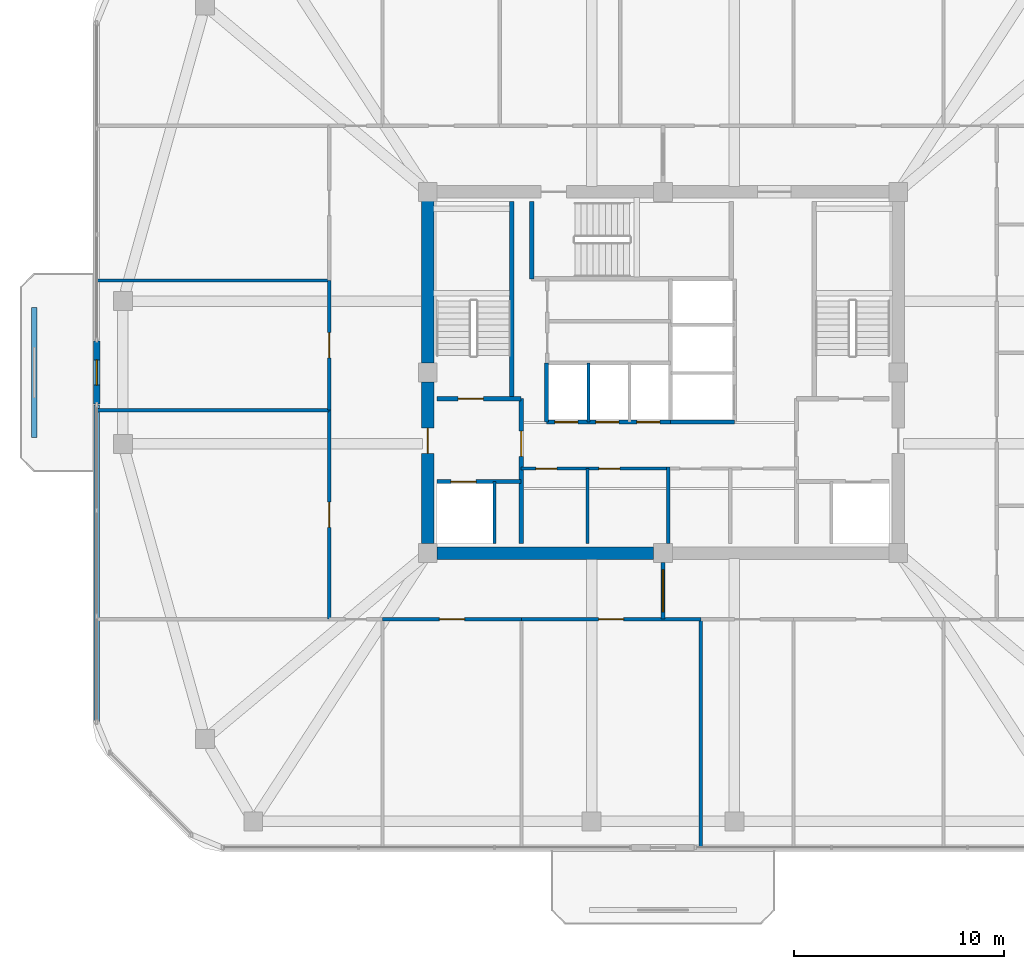
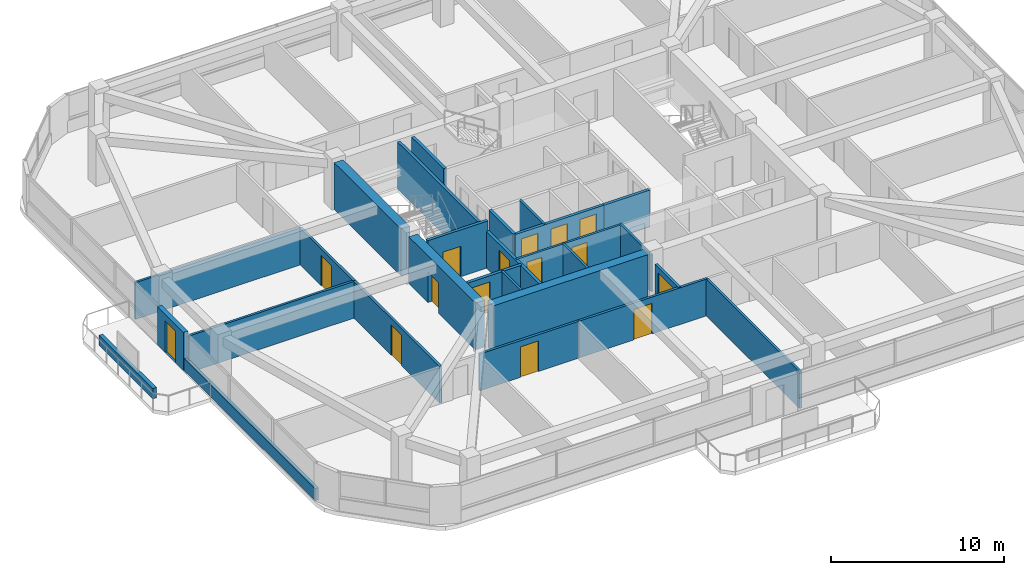
# One storey, part 8 of 13: 27 walls, 15 doors, 15 openings.
"""IFC4 building model written with IfcOpenShell, lengths in metres."""

import ifcopenshell
import ifcopenshell.guid

model = None  # the IFC model being written
_history = None  # IfcOwnerHistory: only IFC2X3 demands one
_inside = {}  # id of a spatial element -> (the spatial element, [elements in it])
_under = {}  # id of a project, library or spatial element -> (it, [spatial elements below it])
_declared = {}  # id of a project -> (the project, [libraries it declares])
_typed = {}  # id of a type object -> (the type object, [elements of that type])
_made_of = {}  # id of a material, layer set ... -> (it, [elements and type objects made of it])


def new_model(schema):
    """Start an empty IFC model of exactly this schema.

    Asked for "IFC4X3", IfcOpenShell would pick the latest addendum, in which some entities
    have other attributes; the version numbers below select the first issue.
    IFC2X3 requires an IfcOwnerHistory on every rooted entity: one is made here for all.
    """
    global model, _history
    if schema == "IFC4X3":
        model = ifcopenshell.file(schema_version=(4, 3, 0, 0))
    else:
        model = ifcopenshell.file(schema=schema)
    _inside.clear()
    _under.clear()
    _declared.clear()
    _typed.clear()
    _made_of.clear()
    _history = None
    if model.schema == "IFC2X3":
        org = make("IfcOrganization", Name="unknown")
        user = make(
            "IfcPersonAndOrganization",
            ThePerson=make("IfcPerson", FamilyName="unknown"),
            TheOrganization=org,
        )
        app = make(
            "IfcApplication",
            ApplicationDeveloper=org,
            Version="unknown",
            ApplicationFullName="unknown",
            ApplicationIdentifier="unknown",
        )
        _history = make(
            "IfcOwnerHistory",
            OwningUser=user,
            OwningApplication=app,
            ChangeAction="ADDED",
            CreationDate=0,
        )
    return model


def make(cls, **values):
    """One entity of the class cls with the attributes given. An attribute that is None is left unset."""
    return model.create_entity(
        cls, **{name: value for name, value in values.items() if value is not None}
    )


def rooted(cls, **values):
    """An entity with a GlobalId (a new one), such as an element, a storey or a relation."""
    return make(cls, GlobalId=ifcopenshell.guid.new(), OwnerHistory=_history, **values)


def si_unit(unit_type, name, prefix=None):
    """IfcSIUnit, for example si_unit("LENGTHUNIT", "METRE", prefix="MILLI")."""
    return make("IfcSIUnit", UnitType=unit_type, Prefix=prefix, Name=name)


def derived_unit(unit_type, elements):
    """IfcDerivedUnit: a product of units, each with its exponent."""
    return make(
        "IfcDerivedUnit",
        Elements=[
            make("IfcDerivedUnitElement", Unit=unit, Exponent=power)
            for unit, power in elements
        ],
        UnitType=unit_type,
    )


def assignment(units):
    """IfcUnitAssignment: the units of a project."""
    return None if units is None else make("IfcUnitAssignment", Units=units)


def point(xyz):
    """IfcCartesianPoint."""
    return None if xyz is None else make("IfcCartesianPoint", Coordinates=xyz)


def direction(xyz):
    """IfcDirection."""
    return None if xyz is None else make("IfcDirection", DirectionRatios=xyz)


def frame(location, z_axis=None, x_axis=None):
    """IfcAxis2Placement3D, a coordinate frame: its origin and axes. An axis left out is left unset."""
    return make(
        "IfcAxis2Placement3D",
        Location=point(location),
        Axis=direction(z_axis),
        RefDirection=direction(x_axis),
    )


def frame_2d(location, x_axis=None):
    """IfcAxis2Placement2D, a coordinate frame in the plane: its origin and x axis."""
    return make(
        "IfcAxis2Placement2D", Location=point(location), RefDirection=direction(x_axis)
    )


def origin():
    """The frame at (0, 0, 0) with its axes left unset."""
    return frame((0.0, 0.0, 0.0))


def place(relative_to, where):
    """IfcLocalPlacement: puts the frame where relative to a parent placement (None: the world)."""
    return make(
        "IfcLocalPlacement", PlacementRelTo=relative_to, RelativePlacement=where
    )


def context(
    kind, dimensions, precision=None, world=None, true_north=None, identifier=None
):
    """IfcGeometricRepresentationContext, for example the 3D "Model" context."""
    return make(
        "IfcGeometricRepresentationContext",
        ContextIdentifier=identifier,
        ContextType=kind,
        CoordinateSpaceDimension=dimensions,
        Precision=precision,
        WorldCoordinateSystem=world,
        TrueNorth=true_north,
    )


def subcontext(parent, identifier, kind, view, scale=None):
    """IfcGeometricRepresentationSubContext, for example "Body" below "Model"."""
    return make(
        "IfcGeometricRepresentationSubContext",
        ContextIdentifier=identifier,
        ContextType=kind,
        ParentContext=parent,
        TargetScale=scale,
        TargetView=view,
    )


def project(units=None, contexts=None):
    """IfcProject with its units and contexts."""
    return rooted(
        "IfcProject",
        Name="project",
        RepresentationContexts=contexts,
        UnitsInContext=assignment(units),
    )


def spatial(cls, under=None, at=None, **own):
    """A site, building, storey or space (cls), placed at a placement, below another one or the project."""
    s = rooted(cls, ObjectPlacement=at, **own)
    if under is not None:
        _under.setdefault(under.id(), (under, []))[1].append(s)
    return s


def profile(cls, at=None, kind="AREA", **sizes):
    """A parametric profile (cls). Its sizes go by their IFC names, for example OverallWidth=200.0."""
    return make(cls, ProfileType=kind, Position=at, **sizes)


def rectangle(**sizes):
    """IfcRectangleProfileDef."""
    return profile("IfcRectangleProfileDef", **sizes)


def extrude(swept, where, along, depth):
    """IfcExtrudedAreaSolid: the profile swept, set in the frame where, extruded along a direction by depth."""
    return make(
        "IfcExtrudedAreaSolid",
        SweptArea=swept,
        Position=where,
        ExtrudedDirection=direction(along),
        Depth=depth,
    )


def shape(context_of_items, identifier, shape_type, items):
    """IfcShapeRepresentation: the items that make up one representation, for example the "Body"."""
    return make(
        "IfcShapeRepresentation",
        ContextOfItems=context_of_items,
        RepresentationIdentifier=identifier,
        RepresentationType=shape_type,
        Items=items,
    )


def material(Name=None, Category=None):
    """IfcMaterial."""
    return make("IfcMaterial", Name=Name, Category=Category)


def layer(
    of_material, thickness, ventilated=None, Name=None, Category=None, Priority=None
):
    """IfcMaterialLayer: one layer of a wall or slab, of a material (None: an air gap)."""
    return make(
        "IfcMaterialLayer",
        Material=of_material,
        LayerThickness=thickness,
        IsVentilated=ventilated,
        Name=Name,
        Category=Category,
        Priority=Priority,
    )


def layer_set(layers, Name=None):
    """IfcMaterialLayerSet."""
    return make("IfcMaterialLayerSet", MaterialLayers=layers, LayerSetName=Name)


def made_of(thing, what):
    """Note that an element or type object is made of a material, layer set ...; save() writes the relation."""
    if what is not None:
        _made_of.setdefault(what.id(), (what, []))[1].append(thing)
    return thing


def type_object(cls, material=None, **own):
    """A type object (cls), such as IfcWallType, which elements share."""
    return made_of(rooted(cls, **own), material)


def element(
    cls,
    number,
    at=None,
    inside=None,
    cuts=None,
    type_object=None,
    material=None,
    context=None,
    identifier="Body",
    shape_type=None,
    held_by="IfcProductDefinitionShape",
    body=None,
    shapes=None,
    **own,
):
    """One element of the class cls, such as IfcWall. Its Tag is "e" and its number.

    at: its placement. inside: the storey or other place that contains it. cuts: it is an
    opening in that element (IfcRelVoidsElement). A single representation is given by context,
    identifier, shape_type and body (its items); several are given by shapes. held_by: the class
    of the entity that holds the representations. save() writes the other relations.
    """
    e = rooted(cls, Tag="e%d" % number, ObjectPlacement=at, **own)
    if body is not None:
        shapes = [shape(context, identifier, shape_type, body)]
    if shapes is not None:
        e.Representation = make(held_by, Representations=shapes)
    if inside is not None:
        _inside.setdefault(inside.id(), (inside, []))[1].append(e)
    if cuts is not None:
        rooted(
            "IfcRelVoidsElement", RelatingBuildingElement=cuts, RelatedOpeningElement=e
        )
    if type_object is not None:
        _typed.setdefault(type_object.id(), (type_object, []))[1].append(e)
    return made_of(e, material)


def fill(opening, filler):
    """IfcRelFillsElement: the door or window that sits in an opening."""
    return rooted(
        "IfcRelFillsElement",
        RelatingOpeningElement=opening,
        RelatedBuildingElement=filler,
    )


def aggregate(whole, parts):
    """IfcRelAggregates: a whole, such as a stair, and the parts it consists of."""
    return rooted("IfcRelAggregates", RelatingObject=whole, RelatedObjects=parts)


def save(model, path):
    """Write the relations noted so far, then the file.

    IfcRelAggregates (storeys below a building ...), IfcRelContainedInSpatialStructure (elements
    in a storey), IfcRelDefinesByType, IfcRelAssociatesMaterial and IfcRelDeclares: one each for
    every whole, place, type object, material and project.
    """
    for whole, parts in _under.values():
        aggregate(whole, parts)
    for where, things in _inside.values():
        rooted(
            "IfcRelContainedInSpatialStructure",
            RelatedElements=things,
            RelatingStructure=where,
        )
    for kind, things in _typed.values():
        rooted("IfcRelDefinesByType", RelatedObjects=things, RelatingType=kind)
    for what, things in _made_of.values():
        rooted("IfcRelAssociatesMaterial", RelatedObjects=things, RelatingMaterial=what)
    for by, libraries in _declared.values():
        rooted("IfcRelDeclares", RelatingContext=by, RelatedDefinitions=libraries)
    model.write(path)


model = new_model("IFC4")

# Units and contexts
model_context = context("Model", 3, precision=1e-05, world=origin(), true_north=direction((0.0, 1.0)))
body_context = subcontext(model_context, "Body", "Model", "MODEL_VIEW")
ifc_project = project(units=[si_unit("LENGTHUNIT", "METRE"), si_unit("AREAUNIT", "SQUARE_METRE"), si_unit("VOLUMEUNIT", "CUBIC_METRE"), si_unit("PLANEANGLEUNIT", "RADIAN"), si_unit("MASSUNIT", "GRAM", prefix="KILO"), derived_unit("THERMALTRANSMITTANCEUNIT", [(si_unit("POWERUNIT", "WATT"), 1), (si_unit("LENGTHUNIT", "METRE"), -2), (si_unit("THERMODYNAMICTEMPERATUREUNIT", "KELVIN"), -1)])], contexts=[model_context])

# Site, building, storey
site_placement = place(None, origin())
site = spatial("IfcSite", under=ifc_project, at=site_placement, CompositionType="ELEMENT")
building_placement = place(site_placement, origin())
building = spatial("IfcBuilding", under=site, at=building_placement, Name="Koralith Skygarden Medical Center", CompositionType="ELEMENT")
storey_placement = place(building_placement, frame((0.0, 0.0, 228.780029296875)))
storey = spatial("IfcBuildingStorey", under=building, at=storey_placement, Name="L59", CompositionType="ELEMENT", Elevation=228.780029296875)

# Wall, openings, doors
ifc_material_1 = material(Name="Gypsum Board Partition")
ifc_layer_1 = layer(ifc_material_1, 0.14990234375)
ifc_layer_set_1 = layer_set([ifc_layer_1], Name="Gypsum Board Partition")
wall_type_1 = type_object("IfcWallType", Name="Clinical Acoustic Partition 150", PredefinedType="PARTITIONING", material=ifc_layer_set_1)
wall_1_placement = place(storey_placement, frame((30.25, 21.320068359375, 0.0), z_axis=(0.0, 0.0, 1.0), x_axis=(1.0, 0.0, 0.0)))
wall_1 = element("IfcWall", 1, at=wall_1_placement, inside=storey, type_object=wall_type_1, Name="L59 Clinical Acoustic Partition 150 W-CORE-L59-FREED-LR-N", PredefinedType="PARTITIONING", context=body_context, shape_type="SweptSolid", body=[
    extrude(rectangle(XDim=7.0, YDim=0.14990234375, at=frame_2d((3.5, 0.0))), origin(), (0.0, 0.0, 1.0), 2.590087890625),
])
opening_1_placement = place(wall_1_placement, frame((0.699951171875, 0.0, 0.0)))
opening_1 = element("IfcOpeningElement", 2, at=opening_1_placement, cuts=wall_1, Name="Opening D-SUP", PredefinedType="OPENING", context=body_context, shape_type="SweptSolid", body=[
    extrude(rectangle(XDim=1.0, YDim=2.14990234375, at=frame_2d((0.5, 1.074951171875))), frame((0.0, 0.0849609375, 0.0), z_axis=(0.0, -1.0, 0.0), x_axis=(1.0, 0.0, 0.0)), (0.0, 0.0, 1.0), 0.169921875),
])
opening_2_placement = place(wall_1_placement, frame((3.699951171875, 0.0, 0.0)))
opening_2 = element("IfcOpeningElement", 3, at=opening_2_placement, cuts=wall_1, Name="Opening D-SUP", PredefinedType="OPENING", context=body_context, shape_type="SweptSolid", body=[
    extrude(rectangle(XDim=1.0, YDim=2.14990234375, at=frame_2d((0.5, 1.074951171875))), frame((0.0, 0.0849609375, 0.0), z_axis=(0.0, -1.0, 0.0), x_axis=(1.0, 0.0, 0.0)), (0.0, 0.0, 1.0), 0.169921875),
])
ifc_material_2 = material(Name="Aluminium 6063-T6", Category="aluminium")
door_type_1 = type_object("IfcDoorType", Name="Clinical Support Door D-SUP 1000", OperationType="NOTDEFINED", PredefinedType="DOOR", material=ifc_material_2)
door_1_placement = place(opening_1_placement, frame((1.0, 0.0, 0.0), z_axis=(0.0, 0.0, 1.0), x_axis=(-1.0, 0.0, 0.0)))
door_1 = element("IfcDoor", 4, at=door_1_placement, inside=storey, type_object=door_type_1, Name="L59 Medication Preparation Door", OperationType="SINGLE_SWING_LEFT", OverallHeight=2.14990234375, OverallWidth=1.0, PredefinedType="DOOR", context=body_context, shape_type="SweptSolid", body=[
    extrude(rectangle(XDim=1.0, YDim=2.14990234375, at=frame_2d((0.5, 1.074951171875))), frame((0.0, 0.02490234375, 0.0), z_axis=(0.0, -1.0, 0.0), x_axis=(1.0, 0.0, 0.0)), (0.0, 0.0, 1.0), 0.050048828125),
])
fill(opening_1, door_1)
door_2_placement = place(opening_2_placement, frame((1.0, 0.0, 0.0), z_axis=(0.0, 0.0, 1.0), x_axis=(-1.0, 0.0, 0.0)))
door_2 = element("IfcDoor", 5, at=door_2_placement, inside=storey, type_object=door_type_1, Name="L59 Telemetry Room Door", OperationType="SINGLE_SWING_RIGHT", OverallHeight=2.14990234375, OverallWidth=1.0, PredefinedType="DOOR", context=body_context, shape_type="SweptSolid", body=[
    extrude(rectangle(XDim=1.0, YDim=2.14990234375, at=frame_2d((0.5, 1.074951171875))), frame((0.0, 0.02490234375, 0.0), z_axis=(0.0, -1.0, 0.0), x_axis=(1.0, 0.0, 0.0)), (0.0, 0.0, 1.0), 0.050048828125),
])
fill(opening_2, door_2)

# Walls
wall_2_placement = place(storey_placement, frame((33.39990234375, 17.75, 0.0), z_axis=(0.0, 0.0, 1.0), x_axis=(0.0, 1.0, 0.0)))
element("IfcWall", 6, at=wall_2_placement, inside=storey, type_object=wall_type_1, Name="L59 Clinical Acoustic Partition 150 W-CORE-L59-FREED-LR-M", PredefinedType="PARTITIONING", context=body_context, shape_type="SweptSolid", body=[
    extrude(rectangle(XDim=3.570068359375, YDim=0.14990234375, at=frame_2d((1.78515625, 0.0))), origin(), (0.0, 0.0, 1.0), 2.590087890625),
])
wall_3_placement = place(storey_placement, frame((38.800048828125, 14.14990234375, 0.0), z_axis=(0.0, 0.0, 1.0), x_axis=(0.0, -1.0, 0.0)))
element("IfcWall", 7, at=wall_3_placement, inside=storey, type_object=wall_type_1, Name="L59 Clinical Acoustic Partition 150 W-PART-L59-S-03", PredefinedType="PARTITIONING", context=body_context, shape_type="SweptSolid", body=[
    extrude(rectangle(XDim=10.849853515625, YDim=0.14990234375, at=frame_2d((5.4248046875, 0.0))), origin(), (0.0, 0.0, 1.0), 2.590087890625),
])
for number, where, z_axis, x_axis, name in (
    (8, (21.10009765625, 24.10009765625, 0.0), (0.0, 0.0, 1.0), (-1.0, 0.0, 0.0), "L59 Clinical Acoustic Partition 150 W-PART-L59-W-01"),
    (9, (21.10009765625, 30.280029296875, 0.0), (0.0, 0.0, 1.0), (-1.0, 0.0, 0.0), "L59 Clinical Acoustic Partition 150 W-PART-L59-W-02"),
):
    element("IfcWall", number, at=place(storey_placement, frame(where, z_axis=z_axis, x_axis=x_axis)), inside=storey, type_object=wall_type_1, Name=name, PredefinedType="PARTITIONING", context=body_context, shape_type="SweptSolid", body=[
        extrude(rectangle(XDim=11.0419921875, YDim=0.14990234375, at=frame_2d((5.52099609375, 0.0))), origin(), (0.0, 0.0, 1.0), 2.590087890625),
    ])

# Wall, opening, door
ifc_layer_2 = layer(ifc_material_1, 0.1650390625)
ifc_layer_set_2 = layer_set([ifc_layer_2], Name="Gypsum Board Partition")
wall_type_2 = type_object("IfcWallType", Name="Clinical Corridor Partition 165", PredefinedType="PARTITIONING", material=ifc_layer_set_2)
wall_4_placement = place(storey_placement, frame((23.64990234375, 14.14990234375, 0.0), z_axis=(0.0, 0.0, 1.0), x_axis=(1.0, 0.0, 0.0)))
wall_4 = element("IfcWall", 10, at=wall_4_placement, inside=storey, type_object=wall_type_2, Name="L59 Clinical Corridor Partition 165 W-CORR-L59-S-02", PredefinedType="PARTITIONING", context=body_context, shape_type="SweptSolid", body=[
    extrude(rectangle(XDim=6.610107421875, YDim=0.1650390625, at=frame_2d((3.30517578125, 0.0))), origin(), (0.0, 0.0, 1.0), 2.590087890625),
])
opening_3_placement = place(wall_4_placement, frame((2.705078125, 0.0, 0.0)))
opening_3 = element("IfcOpeningElement", 11, at=opening_3_placement, cuts=wall_4, Name="Opening D-CLN", PredefinedType="OPENING", context=body_context, shape_type="SweptSolid", body=[
    extrude(rectangle(XDim=1.199951171875, YDim=2.14990234375, at=frame_2d((0.60009765625, 1.074951171875))), frame((0.0, 0.092529296875, 0.0), z_axis=(0.0, -1.0, 0.0), x_axis=(1.0, 0.0, 0.0)), (0.0, 0.0, 1.0), 0.18505859375),
])
door_type_2 = type_object("IfcDoorType", Name="Clinical Corridor Door D-CLN 1200", OperationType="NOTDEFINED", PredefinedType="DOOR", material=ifc_material_2)
door_3_placement = place(opening_3_placement, frame((1.199951171875, 0.0, 0.0), z_axis=(0.0, 0.0, 1.0), x_axis=(-1.0, 0.0, 0.0)))
door_3 = element("IfcDoor", 12, at=door_3_placement, inside=storey, type_object=door_type_2, Name="L59 Clinical Consultation Office 08 Door", OperationType="SINGLE_SWING_LEFT", OverallHeight=2.14990234375, OverallWidth=1.199951171875, PredefinedType="DOOR", context=body_context, shape_type="SweptSolid", body=[
    extrude(rectangle(XDim=1.199951171875, YDim=2.14990234375, at=frame_2d((0.60009765625, 1.074951171875))), frame((0.0, 0.02490234375, 0.0), z_axis=(0.0, -1.0, 0.0), x_axis=(1.0, 0.0, 0.0)), (0.0, 0.0, 1.0), 0.050048828125),
])
fill(opening_3, door_3)

wall_5_placement = place(storey_placement, frame((30.260009765625, 14.14990234375, 0.0), z_axis=(0.0, 0.0, 1.0), x_axis=(1.0, 0.0, 0.0)))
wall_5 = element("IfcWall", 13, at=wall_5_placement, inside=storey, type_object=wall_type_2, Name="L59 Clinical Corridor Partition 165 W-CORR-L59-S-03", PredefinedType="PARTITIONING", context=body_context, shape_type="SweptSolid", body=[
    extrude(rectangle(XDim=8.5400390625, YDim=0.1650390625, at=frame_2d((4.27001953125, 0.0))), origin(), (0.0, 0.0, 1.0), 2.590087890625),
])
opening_4_placement = place(wall_5_placement, frame((3.669921875, 0.0, 0.0)))
opening_4 = element("IfcOpeningElement", 14, at=opening_4_placement, cuts=wall_5, Name="Opening D-CLN", PredefinedType="OPENING", context=body_context, shape_type="SweptSolid", body=[
    extrude(rectangle(XDim=1.199951171875, YDim=2.14990234375, at=frame_2d((0.60009765625, 1.074951171875))), frame((0.0, 0.092529296875, 0.0), z_axis=(0.0, -1.0, 0.0), x_axis=(1.0, 0.0, 0.0)), (0.0, 0.0, 1.0), 0.18505859375),
])
door_4_placement = place(opening_4_placement, frame((1.199951171875, 0.0, 0.0), z_axis=(0.0, 0.0, 1.0), x_axis=(-1.0, 0.0, 0.0)))
door_4 = element("IfcDoor", 15, at=door_4_placement, inside=storey, type_object=door_type_2, Name="L59 Patient and Family Sky-Garden Day Lounge 09 Door", OperationType="SINGLE_SWING_RIGHT", OverallHeight=2.14990234375, OverallWidth=1.199951171875, PredefinedType="DOOR", context=body_context, shape_type="SweptSolid", body=[
    extrude(rectangle(XDim=1.199951171875, YDim=2.14990234375, at=frame_2d((0.60009765625, 1.074951171875))), frame((0.0, 0.02490234375, 0.0), z_axis=(0.0, -1.0, 0.0), x_axis=(1.0, 0.0, 0.0)), (0.0, 0.0, 1.0), 0.050048828125),
])
fill(opening_4, door_4)

wall_6_placement = place(storey_placement, frame((21.10009765625, 14.14990234375, 0.0), z_axis=(0.0, 0.0, 1.0), x_axis=(0.0, 1.0, 0.0)))
wall_6 = element("IfcWall", 16, at=wall_6_placement, inside=storey, type_object=wall_type_2, Name="L59 Clinical Corridor Partition 165 W-CORR-L59-W-01", PredefinedType="PARTITIONING", context=body_context, shape_type="SweptSolid", body=[
    extrude(rectangle(XDim=9.9501953125, YDim=0.1650390625, at=frame_2d((4.97509765625, 0.0))), origin(), (0.0, 0.0, 1.0), 2.590087890625),
])
opening_5_placement = place(wall_6_placement, frame((4.375, 0.0, 0.0)))
opening_5 = element("IfcOpeningElement", 17, at=opening_5_placement, cuts=wall_6, Name="Opening D-CLN", PredefinedType="OPENING", context=body_context, shape_type="SweptSolid", body=[
    extrude(rectangle(XDim=1.199951171875, YDim=2.14990234375, at=frame_2d((0.60009765625, 1.074951171875))), frame((0.0, 0.092529296875, 0.0), z_axis=(0.0, -1.0, 0.0), x_axis=(1.0, 0.0, 0.0)), (0.0, 0.0, 1.0), 0.18505859375),
])
door_5_placement = place(opening_5_placement, frame((1.199951171875, 0.0, 0.0), z_axis=(0.0, 0.0, 1.0), x_axis=(-1.0, 0.0, 0.0)))
door_5 = element("IfcDoor", 18, at=door_5_placement, inside=storey, type_object=door_type_2, Name="L59 Clinical Consultation Office 13 Door", OperationType="SINGLE_SWING_RIGHT", OverallHeight=2.14990234375, OverallWidth=1.199951171875, PredefinedType="DOOR", context=body_context, shape_type="SweptSolid", body=[
    extrude(rectangle(XDim=1.199951171875, YDim=2.14990234375, at=frame_2d((0.60009765625, 1.074951171875))), frame((0.0, 0.02490234375, 0.0), z_axis=(0.0, -1.0, 0.0), x_axis=(1.0, 0.0, 0.0)), (0.0, 0.0, 1.0), 0.050048828125),
])
fill(opening_5, door_5)

wall_7_placement = place(storey_placement, frame((21.10009765625, 24.10009765625, 0.0), z_axis=(0.0, 0.0, 1.0), x_axis=(0.0, 1.0, 0.0)))
wall_7 = element("IfcWall", 19, at=wall_7_placement, inside=storey, type_object=wall_type_2, Name="L59 Clinical Corridor Partition 165 W-CORR-L59-W-02", PredefinedType="PARTITIONING", context=body_context, shape_type="SweptSolid", body=[
    extrude(rectangle(XDim=6.179931640625, YDim=0.1650390625, at=frame_2d((3.08984375, 0.0))), origin(), (0.0, 0.0, 1.0), 2.590087890625),
])
opening_6_placement = place(wall_7_placement, frame((2.489990234375, 0.0, 0.0)))
opening_6 = element("IfcOpeningElement", 20, at=opening_6_placement, cuts=wall_7, Name="Opening D-CLN", PredefinedType="OPENING", context=body_context, shape_type="SweptSolid", body=[
    extrude(rectangle(XDim=1.199951171875, YDim=2.14990234375, at=frame_2d((0.60009765625, 1.074951171875))), frame((0.0, 0.092529296875, 0.0), z_axis=(0.0, -1.0, 0.0), x_axis=(1.0, 0.0, 0.0)), (0.0, 0.0, 1.0), 0.18505859375),
])
door_6_placement = place(opening_6_placement, frame((1.199951171875, 0.0, 0.0), z_axis=(0.0, 0.0, 1.0), x_axis=(-1.0, 0.0, 0.0)))
door_6 = element("IfcDoor", 21, at=door_6_placement, inside=storey, type_object=door_type_2, Name="L59 Patient and Family Sky-Garden Day Lounge 14 Door", OperationType="SINGLE_SWING_LEFT", OverallHeight=2.14990234375, OverallWidth=1.199951171875, PredefinedType="DOOR", context=body_context, shape_type="SweptSolid", body=[
    extrude(rectangle(XDim=1.199951171875, YDim=2.14990234375, at=frame_2d((0.60009765625, 1.074951171875))), frame((0.0, 0.02490234375, 0.0), z_axis=(0.0, -1.0, 0.0), x_axis=(1.0, 0.0, 0.0)), (0.0, 0.0, 1.0), 0.050048828125),
])
fill(opening_6, door_6)

ifc_layer_3 = layer(ifc_material_1, 0.199951171875)
ifc_layer_set_3 = layer_set([ifc_layer_3], Name="Gypsum Board Partition")
wall_type_3 = type_object("IfcWallType", Name="Fire Shaft Wall 200", PredefinedType="SOLIDWALL", material=ifc_layer_set_3)
wall_8_placement = place(storey_placement, frame((26.25, 20.699951171875, 0.0), z_axis=(0.0, 0.0, 1.0), x_axis=(1.0, 0.0, 0.0)))
wall_8 = element("IfcWall", 22, at=wall_8_placement, inside=storey, type_object=wall_type_3, Name="L59 Fire Shaft Wall 200 W-CORE-L59-FF1-N", PredefinedType="SOLIDWALL", context=body_context, shape_type="SweptSolid", body=[
    extrude(rectangle(XDim=4.0, YDim=0.199951171875, at=frame_2d((2.0, 0.0))), origin(), (0.0, 0.0, 1.0), 2.590087890625),
])
opening_7_placement = place(wall_8_placement, frame((0.64990234375, 0.0, 0.0)))
opening_7 = element("IfcOpeningElement", 23, at=opening_7_placement, cuts=wall_8, Name="Opening LD-FF", PredefinedType="OPENING", context=body_context, shape_type="SweptSolid", body=[
    extrude(rectangle(XDim=1.199951171875, YDim=2.14990234375, at=frame_2d((0.60009765625, 1.074951171875))), frame((0.0, 0.10986328125, 0.0), z_axis=(0.0, -1.0, 0.0), x_axis=(1.0, 0.0, 0.0)), (0.0, 0.0, 1.0), 0.219970703125),
])
ifc_material_3 = material(Name="Steel ASTM A500 Grade C", Category="steel")
door_type_3 = type_object("IfcDoorType", Name="Fire Lift Sliding Landing Door LD-FF 1200", OperationType="NOTDEFINED", PredefinedType="DOOR", material=ifc_material_3)
door_7_placement = place(opening_7_placement, origin())
door_7 = element("IfcDoor", 24, at=door_7_placement, inside=storey, type_object=door_type_3, Name="L59 Fire Service Elevator FF1 Landing Door", OperationType="SLIDING_TO_LEFT", OverallHeight=2.14990234375, OverallWidth=1.199951171875, PredefinedType="DOOR", context=body_context, shape_type="SweptSolid", body=[
    extrude(rectangle(XDim=1.199951171875, YDim=2.14990234375, at=frame_2d((0.60009765625, 1.074951171875))), frame((0.0, 0.02490234375, 0.0), z_axis=(0.0, -1.0, 0.0), x_axis=(1.0, 0.0, 0.0)), (0.0, 0.0, 1.0), 0.050048828125),
])
fill(opening_7, door_7)

wall_9_placement = place(storey_placement, frame((30.25, 17.75, 0.0), z_axis=(0.0, 0.0, 1.0), x_axis=(0.0, 1.0, 0.0)))
wall_9 = element("IfcWall", 25, at=wall_9_placement, inside=storey, type_object=wall_type_3, Name="L59 Fire Shaft Wall 200 W-CORE-L59-FSAEW-E", PredefinedType="SOLIDWALL", context=body_context, shape_type="SweptSolid", body=[
    extrude(rectangle(XDim=6.89990234375, YDim=0.199951171875, at=frame_2d((3.449951171875, 0.0))), origin(), (0.0, 0.0, 1.0), 2.590087890625),
])
opening_8_placement = place(wall_9_placement, frame((4.14990234375, 0.0, 0.0)))
opening_8 = element("IfcOpeningElement", 26, at=opening_8_placement, cuts=wall_9, Name="Opening D-ST60", PredefinedType="OPENING", context=body_context, shape_type="SweptSolid", body=[
    extrude(rectangle(XDim=1.199951171875, YDim=2.14990234375, at=frame_2d((0.60009765625, 1.074951171875))), frame((0.0, 0.10986328125, 0.0), z_axis=(0.0, -1.0, 0.0), x_axis=(1.0, 0.0, 0.0)), (0.0, 0.0, 1.0), 0.219970703125),
])
door_type_4 = type_object("IfcDoorType", Name="Smokeproof Stair Fire Door FD60S 1200", OperationType="NOTDEFINED", PredefinedType="DOOR", material=ifc_material_3)
door_8_placement = place(opening_8_placement, origin())
door_8 = element("IfcDoor", 27, at=door_8_placement, inside=storey, type_object=door_type_4, Name="L59 West Firefighting Lobby Inner Fire Door", OperationType="SINGLE_SWING_LEFT", OverallHeight=2.14990234375, OverallWidth=1.199951171875, PredefinedType="DOOR", context=body_context, shape_type="SweptSolid", body=[
    extrude(rectangle(XDim=1.199951171875, YDim=2.14990234375, at=frame_2d((0.60009765625, 1.074951171875))), frame((0.0, 0.02490234375, 0.0), z_axis=(0.0, -1.0, 0.0), x_axis=(1.0, 0.0, 0.0)), (0.0, 0.0, 1.0), 0.050048828125),
])
fill(opening_8, door_8)

# Wall, openings, doors
wall_10_placement = place(storey_placement, frame((31.449951171875, 23.5400390625, 0.0), z_axis=(0.0, 0.0, 1.0), x_axis=(1.0, 0.0, 0.0)))
wall_10 = element("IfcWall", 28, at=wall_10_placement, inside=storey, type_object=wall_type_3, Name="L59 Fire Shaft Wall 200 W-CORE-L59-PH-S", PredefinedType="SOLIDWALL", context=body_context, shape_type="SweptSolid", body=[
    extrude(rectangle(XDim=5.900146484375, YDim=0.199951171875, at=frame_2d((2.9501953125, 0.0))), origin(), (0.0, 0.0, 1.0), 2.590087890625),
])
opening_9_placement = place(wall_10_placement, frame((0.39990234375, 0.0, 0.0)))
opening_9 = element("IfcOpeningElement", 29, at=opening_9_placement, cuts=wall_10, Name="Opening LD-P", PredefinedType="OPENING", context=body_context, shape_type="SweptSolid", body=[
    extrude(rectangle(XDim=1.10009765625, YDim=2.14990234375, at=frame_2d((0.550048828125, 1.074951171875))), frame((0.0, 0.10986328125, 0.0), z_axis=(0.0, -1.0, 0.0), x_axis=(1.0, 0.0, 0.0)), (0.0, 0.0, 1.0), 0.219970703125),
])
opening_10_placement = place(wall_10_placement, frame((2.35009765625, 0.0, 0.0)))
opening_10 = element("IfcOpeningElement", 30, at=opening_10_placement, cuts=wall_10, Name="Opening LD-P", PredefinedType="OPENING", context=body_context, shape_type="SweptSolid", body=[
    extrude(rectangle(XDim=1.10009765625, YDim=2.14990234375, at=frame_2d((0.550048828125, 1.074951171875))), frame((0.0, 0.10986328125, 0.0), z_axis=(0.0, -1.0, 0.0), x_axis=(1.0, 0.0, 0.0)), (0.0, 0.0, 1.0), 0.219970703125),
])
opening_11_placement = place(wall_10_placement, frame((4.300048828125, 0.0, 0.0)))
opening_11 = element("IfcOpeningElement", 31, at=opening_11_placement, cuts=wall_10, Name="Opening LD-P", PredefinedType="OPENING", context=body_context, shape_type="SweptSolid", body=[
    extrude(rectangle(XDim=1.10009765625, YDim=2.14990234375, at=frame_2d((0.550048828125, 1.074951171875))), frame((0.0, 0.10986328125, 0.0), z_axis=(0.0, -1.0, 0.0), x_axis=(1.0, 0.0, 0.0)), (0.0, 0.0, 1.0), 0.219970703125),
])
door_type_5 = type_object("IfcDoorType", Name="Passenger Lift Sliding Landing Door LD-P 1100", OperationType="NOTDEFINED", PredefinedType="DOOR", material=ifc_material_3)
door_9_placement = place(opening_9_placement, origin())
door_9 = element("IfcDoor", 32, at=door_9_placement, inside=storey, type_object=door_type_5, Name="L59 Passenger Elevator PH1 Landing Door", OperationType="SLIDING_TO_RIGHT", OverallHeight=2.14990234375, OverallWidth=1.10009765625, PredefinedType="DOOR", context=body_context, shape_type="SweptSolid", body=[
    extrude(rectangle(XDim=1.10009765625, YDim=2.14990234375, at=frame_2d((0.550048828125, 1.074951171875))), frame((0.0, 0.02490234375, 0.0), z_axis=(0.0, -1.0, 0.0), x_axis=(1.0, 0.0, 0.0)), (0.0, 0.0, 1.0), 0.050048828125),
])
fill(opening_9, door_9)
door_10_placement = place(opening_10_placement, origin())
door_10 = element("IfcDoor", 33, at=door_10_placement, inside=storey, type_object=door_type_5, Name="L59 Passenger Elevator PH2 Landing Door", OperationType="SLIDING_TO_RIGHT", OverallHeight=2.14990234375, OverallWidth=1.10009765625, PredefinedType="DOOR", context=body_context, shape_type="SweptSolid", body=[
    extrude(rectangle(XDim=1.10009765625, YDim=2.14990234375, at=frame_2d((0.550048828125, 1.074951171875))), frame((0.0, 0.02490234375, 0.0), z_axis=(0.0, -1.0, 0.0), x_axis=(1.0, 0.0, 0.0)), (0.0, 0.0, 1.0), 0.050048828125),
])
fill(opening_10, door_10)
door_11_placement = place(opening_11_placement, origin())
door_11 = element("IfcDoor", 34, at=door_11_placement, inside=storey, type_object=door_type_5, Name="L59 Passenger Elevator PH3 Landing Door", OperationType="SLIDING_TO_RIGHT", OverallHeight=2.14990234375, OverallWidth=1.10009765625, PredefinedType="DOOR", context=body_context, shape_type="SweptSolid", body=[
    extrude(rectangle(XDim=1.10009765625, YDim=2.14990234375, at=frame_2d((0.550048828125, 1.074951171875))), frame((0.0, 0.02490234375, 0.0), z_axis=(0.0, -1.0, 0.0), x_axis=(1.0, 0.0, 0.0)), (0.0, 0.0, 1.0), 0.050048828125),
])
fill(opening_11, door_11)

# Walls
wall_11_placement = place(storey_placement, frame((31.449951171875, 23.5400390625, 0.0), z_axis=(0.0, 0.0, 1.0), x_axis=(0.0, 1.0, 0.0)))
element("IfcWall", 35, at=wall_11_placement, inside=storey, type_object=wall_type_3, Name="L59 Fire Shaft Wall 200 W-CORE-L59-PH-W", PredefinedType="SOLIDWALL", context=body_context, shape_type="SweptSolid", body=[
    extrude(rectangle(XDim=2.81005859375, YDim=0.199951171875, at=frame_2d((1.405029296875, 0.0))), origin(), (0.0, 0.0, 1.0), 2.590087890625),
])
wall_12_placement = place(storey_placement, frame((37.35009765625, 23.5400390625, 0.0), z_axis=(0.0, 0.0, 1.0), x_axis=(1.0, 0.0, 0.0)))
element("IfcWall", 36, at=wall_12_placement, inside=storey, type_object=wall_type_3, Name="L59 Fire Shaft Wall 200 W-CORE-L59-SV-S", PredefinedType="SOLIDWALL", context=body_context, shape_type="SweptSolid", body=[
    extrude(rectangle(XDim=3.0498046875, YDim=0.199951171875, at=frame_2d((1.52490234375, 0.0))), origin(), (0.0, 0.0, 1.0), 2.590087890625),
])

# Wall, opening, door
ifc_layer_4 = layer(ifc_material_1, 0.179931640625)
ifc_layer_set_4 = layer_set([ifc_layer_4], Name="Gypsum Board Partition")
wall_type_4 = type_object("IfcWallType", Name="Group I-2 Smoke Barrier Wall 180", PredefinedType="PARTITIONING", material=ifc_layer_set_4)
wall_13_placement = place(storey_placement, frame((37.0, 14.14990234375, 0.0), z_axis=(0.0, 0.0, 1.0), x_axis=(0.0, 1.0, 0.0)))
wall_13 = element("IfcWall", 37, at=wall_13_placement, inside=storey, type_object=wall_type_4, Name="L59 Group I-2 Smoke Barrier Wall 180 W-SMK-L59-S", PredefinedType="PARTITIONING", context=body_context, shape_type="SweptSolid", body=[
    extrude(rectangle(XDim=2.7001953125, YDim=0.179931640625, at=frame_2d((1.35009765625, 0.0))), origin(), (0.0, 0.0, 1.0), 2.590087890625),
])
opening_12_placement = place(wall_13_placement, frame((0.35009765625, 0.0, 0.0)))
opening_12 = element("IfcOpeningElement", 38, at=opening_12_placement, cuts=wall_13, Name="Opening D-SMK", PredefinedType="OPENING", context=body_context, shape_type="SweptSolid", body=[
    extrude(rectangle(XDim=2.0, YDim=2.199951171875, at=frame_2d((1.0, 1.10009765625))), frame((0.0, 0.099853515625, 0.0), z_axis=(0.0, -1.0, 0.0), x_axis=(1.0, 0.0, 0.0)), (0.0, 0.0, 1.0), 0.199951171875),
])
door_type_6 = type_object("IfcDoorType", Name="Cross-Corridor Double Smoke Door FD60S 2000", OperationType="NOTDEFINED", PredefinedType="DOOR", material=ifc_material_3)
door_12_placement = place(opening_12_placement, frame((2.0, 0.0, 0.0), z_axis=(0.0, 0.0, 1.0), x_axis=(-1.0, 0.0, 0.0)))
door_12 = element("IfcDoor", 39, at=door_12_placement, inside=storey, type_object=door_type_6, Name="L59 S Smoke Compartment Cross-Corridor Door", OperationType="DOUBLE_DOOR_SINGLE_SWING", OverallHeight=2.199951171875, OverallWidth=2.0, PredefinedType="DOOR", context=body_context, shape_type="SweptSolid", body=[
    extrude(rectangle(XDim=2.0, YDim=2.199951171875, at=frame_2d((1.0, 1.10009765625))), frame((0.0, 0.02490234375, 0.0), z_axis=(0.0, -1.0, 0.0), x_axis=(1.0, 0.0, 0.0)), (0.0, 0.0, 1.0), 0.050048828125),
])
fill(opening_12, door_12)

# Wall
ifc_material_4 = material(Name="Warm Oolitic Limestone Cladding", Category="masonry")
ifc_layer_5 = layer(ifc_material_4, 0.239990234375)
ifc_layer_set_5 = layer_set([ifc_layer_5], Name="Warm Oolitic Limestone Cladding")
wall_type_5 = type_object("IfcWallType", Name="Limestone Spandrel Sill Backup Wall 240", PredefinedType="SOLIDWALL", material=ifc_layer_set_5)
wall_14_placement = place(storey_placement, frame((10.0380859375, 24.360107421875, 0.0), z_axis=(0.0, 0.0, 1.0), x_axis=(0.0, -1.0, 0.0)))
element("IfcWall", 40, at=wall_14_placement, inside=storey, type_object=wall_type_5, Name="L59 Sill Spandrel W-R", PredefinedType="SOLIDWALL", context=body_context, shape_type="SweptSolid", body=[
    extrude(rectangle(XDim=15.105224609375, YDim=0.239990234375, at=frame_2d((7.552734375, 0.0))), origin(), (0.0, 0.0, 1.0), 0.849853515625),
])

# Wall, opening, door
ifc_layer_6 = layer(ifc_material_4, 0.300048828125)
ifc_layer_set_6 = layer_set([ifc_layer_6], Name="Warm Oolitic Limestone Cladding")
wall_type_6 = type_object("IfcWallType", Name="Oolitic Limestone Insulated Facade Wall 300", PredefinedType="SOLIDWALL", material=ifc_layer_set_6)
wall_15_placement = place(storey_placement, frame((10.0380859375, 27.39990234375, 0.0), z_axis=(0.0, 0.0, 1.0), x_axis=(0.0, -1.0, 0.0)))
wall_15 = element("IfcWall", 41, at=wall_15_placement, inside=storey, type_object=wall_type_6, Name="L59 Terrace Portal Wall W", PredefinedType="SOLIDWALL", context=body_context, shape_type="SweptSolid", body=[
    extrude(rectangle(XDim=3.0, YDim=0.300048828125, at=frame_2d((1.5, 0.0))), origin(), (0.0, 0.0, 1.0), 2.669921875),
])
opening_13_placement = place(wall_15_placement, frame((0.89990234375, 0.0, 0.0)))
opening_13 = element("IfcOpeningElement", 42, at=opening_13_placement, cuts=wall_15, Name="Opening D-BAL", PredefinedType="OPENING", context=body_context, shape_type="SweptSolid", body=[
    extrude(rectangle(XDim=1.199951171875, YDim=2.199951171875, at=frame_2d((0.60009765625, 1.10009765625))), frame((0.0, 0.159912109375, 0.0), z_axis=(0.0, -1.0, 0.0), x_axis=(1.0, 0.0, 0.0)), (0.0, 0.0, 1.0), 0.320068359375),
])
door_type_7 = type_object("IfcDoorType", Name="Planted Balcony Glazed Terrace Door D-BAL 1200", OperationType="NOTDEFINED", PredefinedType="DOOR", material=ifc_material_2)
door_13_placement = place(opening_13_placement, origin())
door_13 = element("IfcDoor", 43, at=door_13_placement, inside=storey, type_object=door_type_7, Name="L59 W Outdoor Terrace Access Door", OperationType="SINGLE_SWING_RIGHT", OverallHeight=2.199951171875, OverallWidth=1.199951171875, PredefinedType="DOOR", context=body_context, shape_type="SweptSolid", body=[
    extrude(rectangle(XDim=1.199951171875, YDim=2.199951171875, at=frame_2d((0.60009765625, 1.10009765625))), frame((0.0, 0.02490234375, 0.0), z_axis=(0.0, -1.0, 0.0), x_axis=(1.0, 0.0, 0.0)), (0.0, 0.0, 1.0), 0.050048828125),
])
fill(opening_13, door_13)

# Walls
ifc_layer_7 = layer(ifc_material_1, 0.14990234375)
ifc_layer_set_7 = layer_set([ifc_layer_7], Name="Gypsum Board Partition")
wall_type_7 = type_object("IfcWallType", Name="Shaft Partition Wall 150", PredefinedType="PARTITIONING", material=ifc_layer_set_7)
wall_16_placement = place(storey_placement, frame((28.969970703125, 17.75, 0.0), z_axis=(0.0, 0.0, 1.0), x_axis=(0.0, 1.0, 0.0)))
element("IfcWall", 44, at=wall_16_placement, inside=storey, type_object=wall_type_7, Name="L59 Shaft Partition Wall 150 W-CORE-L59-RSRW-DIV", PredefinedType="PARTITIONING", context=body_context, shape_type="SweptSolid", body=[
    extrude(rectangle(XDim=2.949951171875, YDim=0.14990234375, at=frame_2d((1.47509765625, 0.0))), origin(), (0.0, 0.0, 1.0), 2.590087890625),
])
wall_17_placement = place(storey_placement, frame((37.25, 17.75, 0.0), z_axis=(0.0, 0.0, 1.0), x_axis=(0.0, 1.0, 0.0)))
element("IfcWall", 45, at=wall_17_placement, inside=storey, type_object=wall_type_7, Name="L59 Shaft Partition Wall 150 W-CORE-L59-PL-PM-SEP", PredefinedType="PARTITIONING", context=body_context, shape_type="SweptSolid", body=[
    extrude(rectangle(XDim=3.64990234375, YDim=0.14990234375, at=frame_2d((1.824951171875, 0.0))), origin(), (0.0, 0.0, 1.0), 2.590087890625),
])
wall_18_placement = place(storey_placement, frame((33.449951171875, 23.5400390625, 0.0), z_axis=(0.0, 0.0, 1.0), x_axis=(0.0, 1.0, 0.0)))
element("IfcWall", 46, at=wall_18_placement, inside=storey, type_object=wall_type_7, Name="L59 Shaft Partition Wall 150 W-CORE-L59-PH-D1", PredefinedType="PARTITIONING", context=body_context, shape_type="SweptSolid", body=[
    extrude(rectangle(XDim=2.81005859375, YDim=0.14990234375, at=frame_2d((1.405029296875, 0.0))), origin(), (0.0, 0.0, 1.0), 2.590087890625),
])
ifc_material_5 = material(Name="Precast concrete C40/50", Category="concrete")
ifc_layer_8 = layer(ifc_material_5, 0.25)
ifc_layer_set_8 = layer_set([ifc_layer_8], Name="Precast concrete C40/50")
wall_type_8 = type_object("IfcWallType", Name="Structural Concrete Balcony Planter Kerb 250", PredefinedType="PARAPET", material=ifc_layer_set_8)
wall_19_placement = place(storey_placement, frame((7.05810546875, 22.800048828125, 0.0), z_axis=(0.0, 0.0, 1.0), x_axis=(0.0, 1.0, 0.0)))
element("IfcWall", 47, at=wall_19_placement, inside=storey, type_object=wall_type_8, Name="L59 W Structural Tree PLANTER Box", PredefinedType="PARAPET", context=body_context, shape_type="SweptSolid", body=[
    extrude(rectangle(XDim=6.199951171875, YDim=0.25, at=frame_2d((3.10009765625, 0.0))), origin(), (0.0, 0.0, 1.0), 0.719970703125),
])
ifc_material_6 = material(Name="Concrete C45/55", Category="concrete")
ifc_layer_9 = layer(ifc_material_6, 0.199951171875)
ifc_layer_set_9 = layer_set([ifc_layer_9], Name="Concrete C45/55")
wall_type_9 = type_object("IfcWallType", Name="Structural Stair Shaft Wall 200", PredefinedType="SHEAR", material=ifc_layer_set_9)
wall_20_placement = place(storey_placement, frame((29.800048828125, 24.64990234375, 0.0), z_axis=(0.0, 0.0, 1.0), x_axis=(0.0, 1.0, 0.0)))
element("IfcWall", 48, at=wall_20_placement, inside=storey, type_object=wall_type_9, Name="L59 Structural Stair Shaft Wall 200 W-CORE-L59-ST1-E", PredefinedType="SHEAR", context=body_context, shape_type="SweptSolid", body=[
    extrude(rectangle(XDim=9.400146484375, YDim=0.199951171875, at=frame_2d((4.7001953125, 0.0))), origin(), (0.0, 0.0, 1.0), 3.300048828125),
])

# Wall, opening, door
wall_21_placement = place(storey_placement, frame((26.25, 24.64990234375, 0.0), z_axis=(0.0, 0.0, 1.0), x_axis=(1.0, 0.0, 0.0)))
wall_21 = element("IfcWall", 49, at=wall_21_placement, inside=storey, type_object=wall_type_9, Name="L59 Structural Stair Shaft Wall 200 W-CORE-L59-ST1-S", PredefinedType="SHEAR", context=body_context, shape_type="SweptSolid", body=[
    extrude(rectangle(XDim=4.0, YDim=0.199951171875, at=frame_2d((2.0, 0.0))), origin(), (0.0, 0.0, 1.0), 3.300048828125),
])
opening_14_placement = place(wall_21_placement, frame((1.0, 0.0, 0.0)))
opening_14 = element("IfcOpeningElement", 50, at=opening_14_placement, cuts=wall_21, Name="Opening D-ST60", PredefinedType="OPENING", context=body_context, shape_type="SweptSolid", body=[
    extrude(rectangle(XDim=1.199951171875, YDim=2.14990234375, at=frame_2d((0.60009765625, 1.074951171875))), frame((0.0, 0.10986328125, 0.0), z_axis=(0.0, -1.0, 0.0), x_axis=(1.0, 0.0, 0.0)), (0.0, 0.0, 1.0), 0.219970703125),
])
door_14_placement = place(opening_14_placement, origin())
door_14 = element("IfcDoor", 51, at=door_14_placement, inside=storey, type_object=door_type_4, Name="L59 Exit Stair ST1 Fire Door", OperationType="SINGLE_SWING_LEFT", OverallHeight=2.14990234375, OverallWidth=1.199951171875, PredefinedType="DOOR", context=body_context, shape_type="SweptSolid", body=[
    extrude(rectangle(XDim=1.199951171875, YDim=2.14990234375, at=frame_2d((0.60009765625, 1.074951171875))), frame((0.0, 0.02490234375, 0.0), z_axis=(0.0, -1.0, 0.0), x_axis=(1.0, 0.0, 0.0)), (0.0, 0.0, 1.0), 0.050048828125),
])
fill(opening_14, door_14)

# Walls
wall_22_placement = place(storey_placement, frame((30.75, 30.360107421875, 0.0), z_axis=(0.0, 0.0, 1.0), x_axis=(0.0, 1.0, 0.0)))
element("IfcWall", 52, at=wall_22_placement, inside=storey, type_object=wall_type_9, Name="L59 Structural Stair Shaft Wall 200 W-CORE-L59-ST3-W", PredefinedType="SHEAR", context=body_context, shape_type="SweptSolid", body=[
    extrude(rectangle(XDim=3.68994140625, YDim=0.199951171875, at=frame_2d((1.844970703125, 0.0))), origin(), (0.0, 0.0, 1.0), 3.300048828125),
])
ifc_material_7 = material(Name="Concrete C55/67", Category="concrete")
ifc_layer_10 = layer(ifc_material_7, 0.60009765625)
ifc_layer_set_10 = layer_set([ifc_layer_10], Name="Concrete C55/67")
wall_type_10 = type_object("IfcWallType", Name="Upper Core Shear Wall 600", PredefinedType="SHEAR", material=ifc_layer_set_10)
wall_23_placement = place(storey_placement, frame((26.2451171875, 17.300048828125, 0.0), z_axis=(0.0, 0.0, 1.0), x_axis=(1.0, 0.0, 0.0)))
element("IfcWall", 53, at=wall_23_placement, inside=storey, type_object=wall_type_10, Name="L59 Core Shear Wall Segment 1", PredefinedType="SHEAR", context=body_context, shape_type="SweptSolid", body=[
    extrude(rectangle(XDim=10.309814453125, YDim=0.60009765625, at=frame_2d((5.15478515625, 0.0))), origin(), (0.0, 0.0, 1.0), 3.300048828125),
])
wall_24_placement = place(storey_placement, frame((25.800048828125, 34.054931640625, 0.0), z_axis=(0.0, 0.0, 1.0), x_axis=(0.0, -1.0, 0.0)))
element("IfcWall", 54, at=wall_24_placement, inside=storey, type_object=wall_type_10, Name="L59 Core Shear Wall Segment 7", PredefinedType="SHEAR", context=body_context, shape_type="SweptSolid", body=[
    extrude(rectangle(XDim=7.7099609375, YDim=0.60009765625, at=frame_2d((3.85498046875, 0.0))), origin(), (0.0, 0.0, 1.0), 3.300048828125),
])

# Wall, opening, door
wall_25_placement = place(storey_placement, frame((25.800048828125, 25.455078125, 0.0), z_axis=(0.0, 0.0, 1.0), x_axis=(0.0, -1.0, 0.0)))
wall_25 = element("IfcWall", 55, at=wall_25_placement, inside=storey, type_object=wall_type_10, Name="L59 Core Shear Wall Segment 8", PredefinedType="SHEAR", context=body_context, shape_type="SweptSolid", body=[
    extrude(rectangle(XDim=7.7099609375, YDim=0.60009765625, at=frame_2d((3.85498046875, 0.0))), origin(), (0.0, 0.0, 1.0), 3.300048828125),
])
opening_15_placement = place(wall_25_placement, frame((2.205078125, 0.0, 0.0)))
opening_15 = element("IfcOpeningElement", 56, at=opening_15_placement, cuts=wall_25, Name="Opening D-ST60", PredefinedType="OPENING", context=body_context, shape_type="SweptSolid", body=[
    extrude(rectangle(XDim=1.199951171875, YDim=2.14990234375, at=frame_2d((0.60009765625, 1.074951171875))), frame((0.0, 0.31005859375, 0.0), z_axis=(0.0, -1.0, 0.0), x_axis=(1.0, 0.0, 0.0)), (0.0, 0.0, 1.0), 0.6201171875),
])
door_15_placement = place(opening_15_placement, frame((1.199951171875, 0.0, 0.0), z_axis=(0.0, 0.0, 1.0), x_axis=(-1.0, 0.0, 0.0)))
door_15 = element("IfcDoor", 57, at=door_15_placement, inside=storey, type_object=door_type_4, Name="L59 West Corridor to Firefighting Lobby Door", OperationType="SINGLE_SWING_LEFT", OverallHeight=2.14990234375, OverallWidth=1.199951171875, PredefinedType="DOOR", context=body_context, shape_type="SweptSolid", body=[
    extrude(rectangle(XDim=1.199951171875, YDim=2.14990234375, at=frame_2d((0.60009765625, 1.074951171875))), frame((0.0, 0.02490234375, 0.0), z_axis=(0.0, -1.0, 0.0), x_axis=(1.0, 0.0, 0.0)), (0.0, 0.0, 1.0), 0.050048828125),
])
fill(opening_15, door_15)

save(model, "model.ifc")
